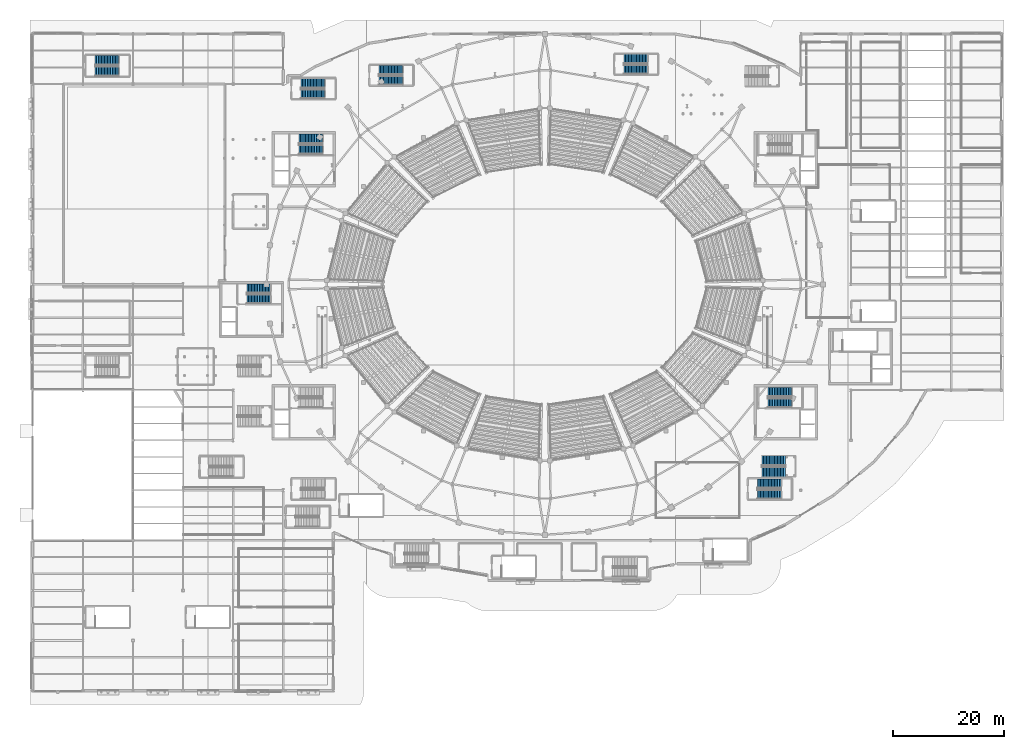
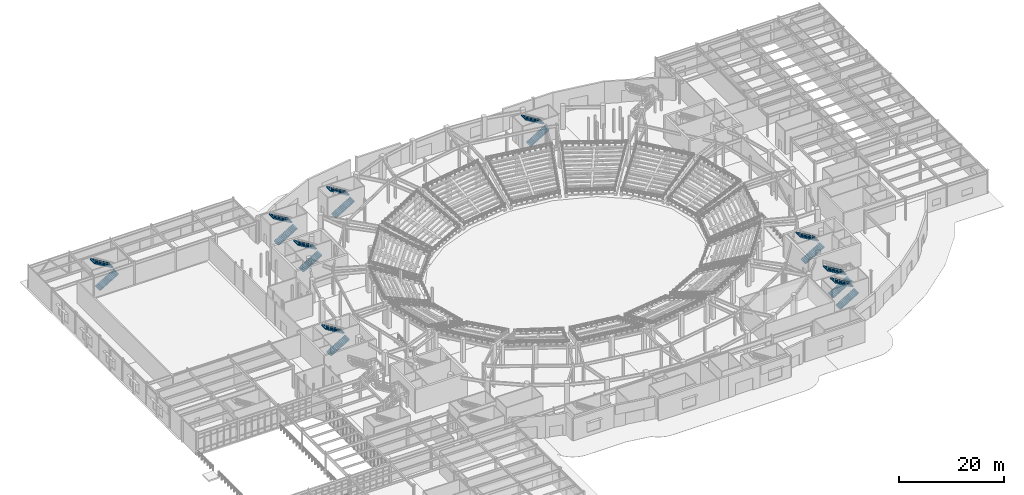
# One storey, part 58 of 79: 18 stair flights, 9 elements without a shape of their own.
"""IFC4 building model written with IfcOpenShell, lengths in metres."""

import ifcopenshell
import ifcopenshell.guid

model = None  # the IFC model being written
_history = None  # IfcOwnerHistory: only IFC2X3 demands one
_inside = {}  # id of a spatial element -> (the spatial element, [elements in it])
_under = {}  # id of a project, library or spatial element -> (it, [spatial elements below it])
_declared = {}  # id of a project -> (the project, [libraries it declares])
_typed = {}  # id of a type object -> (the type object, [elements of that type])
_made_of = {}  # id of a material, layer set ... -> (it, [elements and type objects made of it])


def new_model(schema):
    """Start an empty IFC model of exactly this schema.

    Asked for "IFC4X3", IfcOpenShell would pick the latest addendum, in which some entities
    have other attributes; the version numbers below select the first issue.
    IFC2X3 requires an IfcOwnerHistory on every rooted entity: one is made here for all.
    """
    global model, _history
    if schema == "IFC4X3":
        model = ifcopenshell.file(schema_version=(4, 3, 0, 0))
    else:
        model = ifcopenshell.file(schema=schema)
    _inside.clear()
    _under.clear()
    _declared.clear()
    _typed.clear()
    _made_of.clear()
    _history = None
    if model.schema == "IFC2X3":
        org = make("IfcOrganization", Name="unknown")
        user = make(
            "IfcPersonAndOrganization",
            ThePerson=make("IfcPerson", FamilyName="unknown"),
            TheOrganization=org,
        )
        app = make(
            "IfcApplication",
            ApplicationDeveloper=org,
            Version="unknown",
            ApplicationFullName="unknown",
            ApplicationIdentifier="unknown",
        )
        _history = make(
            "IfcOwnerHistory",
            OwningUser=user,
            OwningApplication=app,
            ChangeAction="ADDED",
            CreationDate=0,
        )
    return model


def make(cls, **values):
    """One entity of the class cls with the attributes given. An attribute that is None is left unset."""
    return model.create_entity(
        cls, **{name: value for name, value in values.items() if value is not None}
    )


def rooted(cls, **values):
    """An entity with a GlobalId (a new one), such as an element, a storey or a relation."""
    return make(cls, GlobalId=ifcopenshell.guid.new(), OwnerHistory=_history, **values)


def si_unit(unit_type, name, prefix=None):
    """IfcSIUnit, for example si_unit("LENGTHUNIT", "METRE", prefix="MILLI")."""
    return make("IfcSIUnit", UnitType=unit_type, Prefix=prefix, Name=name)


def assignment(units):
    """IfcUnitAssignment: the units of a project."""
    return None if units is None else make("IfcUnitAssignment", Units=units)


def point(xyz):
    """IfcCartesianPoint."""
    return None if xyz is None else make("IfcCartesianPoint", Coordinates=xyz)


def direction(xyz):
    """IfcDirection."""
    return None if xyz is None else make("IfcDirection", DirectionRatios=xyz)


def frame(location, z_axis=None, x_axis=None):
    """IfcAxis2Placement3D, a coordinate frame: its origin and axes. An axis left out is left unset."""
    return make(
        "IfcAxis2Placement3D",
        Location=point(location),
        Axis=direction(z_axis),
        RefDirection=direction(x_axis),
    )


def origin():
    """The frame at (0, 0, 0) with its axes left unset."""
    return frame((0.0, 0.0, 0.0))


def place(relative_to, where):
    """IfcLocalPlacement: puts the frame where relative to a parent placement (None: the world)."""
    return make(
        "IfcLocalPlacement", PlacementRelTo=relative_to, RelativePlacement=where
    )


def context(
    kind, dimensions, precision=None, world=None, true_north=None, identifier=None
):
    """IfcGeometricRepresentationContext, for example the 3D "Model" context."""
    return make(
        "IfcGeometricRepresentationContext",
        ContextIdentifier=identifier,
        ContextType=kind,
        CoordinateSpaceDimension=dimensions,
        Precision=precision,
        WorldCoordinateSystem=world,
        TrueNorth=true_north,
    )


def subcontext(parent, identifier, kind, view, scale=None):
    """IfcGeometricRepresentationSubContext, for example "Body" below "Model"."""
    return make(
        "IfcGeometricRepresentationSubContext",
        ContextIdentifier=identifier,
        ContextType=kind,
        ParentContext=parent,
        TargetScale=scale,
        TargetView=view,
    )


def project(units=None, contexts=None):
    """IfcProject with its units and contexts."""
    return rooted(
        "IfcProject",
        Name="project",
        RepresentationContexts=contexts,
        UnitsInContext=assignment(units),
    )


def spatial(cls, under=None, at=None, **own):
    """A site, building, storey or space (cls), placed at a placement, below another one or the project."""
    s = rooted(cls, ObjectPlacement=at, **own)
    if under is not None:
        _under.setdefault(under.id(), (under, []))[1].append(s)
    return s


def polyline(points):
    """IfcPolyline through the points."""
    return make("IfcPolyline", Points=[point(p) for p in points])


def outline(outer, holes=None, kind="AREA"):
    """IfcArbitraryClosedProfileDef: a profile drawn as a closed curve; with holes, ...WithVoids."""
    if holes is None:
        return make("IfcArbitraryClosedProfileDef", ProfileType=kind, OuterCurve=outer)
    return make(
        "IfcArbitraryProfileDefWithVoids",
        ProfileType=kind,
        OuterCurve=outer,
        InnerCurves=holes,
    )


def extrude(swept, where, along, depth):
    """IfcExtrudedAreaSolid: the profile swept, set in the frame where, extruded along a direction by depth."""
    return make(
        "IfcExtrudedAreaSolid",
        SweptArea=swept,
        Position=where,
        ExtrudedDirection=direction(along),
        Depth=depth,
    )


def shape(context_of_items, identifier, shape_type, items):
    """IfcShapeRepresentation: the items that make up one representation, for example the "Body"."""
    return make(
        "IfcShapeRepresentation",
        ContextOfItems=context_of_items,
        RepresentationIdentifier=identifier,
        RepresentationType=shape_type,
        Items=items,
    )


def material(Name=None, Category=None):
    """IfcMaterial."""
    return make("IfcMaterial", Name=Name, Category=Category)


def made_of(thing, what):
    """Note that an element or type object is made of a material, layer set ...; save() writes the relation."""
    if what is not None:
        _made_of.setdefault(what.id(), (what, []))[1].append(thing)
    return thing


def type_object(cls, material=None, **own):
    """A type object (cls), such as IfcWallType, which elements share."""
    return made_of(rooted(cls, **own), material)


def element(
    cls,
    number,
    at=None,
    inside=None,
    cuts=None,
    type_object=None,
    material=None,
    context=None,
    identifier="Body",
    shape_type=None,
    held_by="IfcProductDefinitionShape",
    body=None,
    shapes=None,
    **own,
):
    """One element of the class cls, such as IfcWall. Its Tag is "e" and its number.

    at: its placement. inside: the storey or other place that contains it. cuts: it is an
    opening in that element (IfcRelVoidsElement). A single representation is given by context,
    identifier, shape_type and body (its items); several are given by shapes. held_by: the class
    of the entity that holds the representations. save() writes the other relations.
    """
    e = rooted(cls, Tag="e%d" % number, ObjectPlacement=at, **own)
    if body is not None:
        shapes = [shape(context, identifier, shape_type, body)]
    if shapes is not None:
        e.Representation = make(held_by, Representations=shapes)
    if inside is not None:
        _inside.setdefault(inside.id(), (inside, []))[1].append(e)
    if cuts is not None:
        rooted(
            "IfcRelVoidsElement", RelatingBuildingElement=cuts, RelatedOpeningElement=e
        )
    if type_object is not None:
        _typed.setdefault(type_object.id(), (type_object, []))[1].append(e)
    return made_of(e, material)


def aggregate(whole, parts):
    """IfcRelAggregates: a whole, such as a stair, and the parts it consists of."""
    return rooted("IfcRelAggregates", RelatingObject=whole, RelatedObjects=parts)


def save(model, path):
    """Write the relations noted so far, then the file.

    IfcRelAggregates (storeys below a building ...), IfcRelContainedInSpatialStructure (elements
    in a storey), IfcRelDefinesByType, IfcRelAssociatesMaterial and IfcRelDeclares: one each for
    every whole, place, type object, material and project.
    """
    for whole, parts in _under.values():
        aggregate(whole, parts)
    for where, things in _inside.values():
        rooted(
            "IfcRelContainedInSpatialStructure",
            RelatedElements=things,
            RelatingStructure=where,
        )
    for kind, things in _typed.values():
        rooted("IfcRelDefinesByType", RelatedObjects=things, RelatingType=kind)
    for what, things in _made_of.values():
        rooted("IfcRelAssociatesMaterial", RelatedObjects=things, RelatingMaterial=what)
    for by, libraries in _declared.values():
        rooted("IfcRelDeclares", RelatingContext=by, RelatedDefinitions=libraries)
    model.write(path)


model = new_model("IFC4")

# Units and contexts
model_context = context("Model", 3, precision=1e-05, world=origin(), true_north=direction((0.0, 1.0)))
body_context = subcontext(model_context, "Body", "Model", "MODEL_VIEW")
ifc_project = project(units=[si_unit("LENGTHUNIT", "METRE"), si_unit("AREAUNIT", "SQUARE_METRE"), si_unit("VOLUMEUNIT", "CUBIC_METRE"), si_unit("PLANEANGLEUNIT", "RADIAN"), si_unit("MASSUNIT", "GRAM", prefix="KILO")], contexts=[model_context])

# Site, building, storey
site_placement = place(None, origin())
site = spatial("IfcSite", under=ifc_project, at=site_placement, CompositionType="ELEMENT")
building_placement = place(site_placement, origin())
building = spatial("IfcBuilding", under=site, at=building_placement, Name="Glasvene Arena", CompositionType="ELEMENT")
storey_placement = place(building_placement, origin())
storey = spatial("IfcBuildingStorey", under=building, at=storey_placement, Name="L00", CompositionType="ELEMENT", Elevation=0.0)

# Stair, stair flights
ifc_material = material(Name="Concrete C40/50", Category="concrete")
stair_type_1 = type_object("IfcStairType", Name="ST-HT-540-165", PredefinedType="HALF_TURN_STAIR", material=ifc_material)
stair_1_placement = place(storey_placement, origin())
stair_1 = element("IfcStair", 1, at=stair_1_placement, inside=storey, type_object=stair_type_1, Name="Protected escape stair ST-07 (L00 to L01)", PredefinedType="HALF_TURN_STAIR")
stair_flight_type_1 = type_object("IfcStairFlightType", Name="SF-HT-540-165", PredefinedType="STRAIGHT", material=ifc_material)
stair_flight_1_placement = place(storey_placement, frame((38.449951171875, 70.375, 0.0), z_axis=(0.0, 0.0, 1.0), x_axis=(1.0, 0.0, 0.0)))
stair_flight_1 = element("IfcStairFlight", 2, at=stair_flight_1_placement, type_object=stair_flight_type_1, Name="Protected escape stair ST-07 (L00 to L01) flight 1", NumberOfRisers=16, NumberOfTreads=15, PredefinedType="STRAIGHT", RiserHeight=0.16875, TreadLength=0.28, context=body_context, shape_type="SweptSolid", body=[
    extrude(outline(polyline([(0.0, 0.0), (0.0, 0.168701171875), (0.280029296875, 0.168701171875), (0.280029296875, 0.33740234375), (0.56005859375, 0.33740234375), (0.56005859375, 0.50634765625), (0.840087890625, 0.50634765625), (0.840087890625, 0.675048828125), (1.1201171875, 0.675048828125), (1.1201171875, 0.84375), (1.39990234375, 0.84375), (1.39990234375, 1.012451171875), (1.679931640625, 1.012451171875), (1.679931640625, 1.18115234375), (1.9599609375, 1.18115234375), (1.9599609375, 1.35009765625), (2.239990234375, 1.35009765625), (2.239990234375, 1.518798828125), (2.52001953125, 1.518798828125), (2.52001953125, 1.6875), (2.800048828125, 1.6875), (2.800048828125, 1.856201171875), (3.080078125, 1.856201171875), (3.080078125, 2.02490234375), (3.360107421875, 2.02490234375), (3.360107421875, 2.19384765625), (3.639892578125, 2.19384765625), (3.639892578125, 2.362548828125), (3.919921875, 2.362548828125), (3.919921875, 2.53125), (4.199951171875, 2.53125), (4.199951171875, 2.699951171875), (4.199951171875, 2.2978515625), (0.387451171875, 0.0), (0.0, 0.0)])), frame((0.0, 0.824951171875, 0.0), z_axis=(0.0, -1.0, 0.0), x_axis=(1.0, 0.0, 0.0)), (0.0, 0.0, 1.0), 1.64990234375),
])
stair_flight_2_placement = place(storey_placement, frame((42.64990234375, 72.27490234375, 2.699951171875), z_axis=(0.0, 0.0, 1.0), x_axis=(-1.0, 0.0, 0.0)))
stair_flight_2 = element("IfcStairFlight", 3, at=stair_flight_2_placement, type_object=stair_flight_type_1, Name="Protected escape stair ST-07 (L00 to L01) flight 2", NumberOfRisers=16, NumberOfTreads=15, PredefinedType="STRAIGHT", RiserHeight=0.16875, TreadLength=0.28, context=body_context, shape_type="SweptSolid", body=[
    extrude(outline(polyline([(0.0, 0.0), (0.0, 0.168701171875), (0.280029296875, 0.168701171875), (0.280029296875, 0.33740234375), (0.56005859375, 0.33740234375), (0.56005859375, 0.50634765625), (0.840087890625, 0.50634765625), (0.840087890625, 0.675048828125), (1.1201171875, 0.675048828125), (1.1201171875, 0.84375), (1.39990234375, 0.84375), (1.39990234375, 1.012451171875), (1.679931640625, 1.012451171875), (1.679931640625, 1.18115234375), (1.9599609375, 1.18115234375), (1.9599609375, 1.35009765625), (2.239990234375, 1.35009765625), (2.239990234375, 1.518798828125), (2.52001953125, 1.518798828125), (2.52001953125, 1.6875), (2.800048828125, 1.6875), (2.800048828125, 1.856201171875), (3.080078125, 1.856201171875), (3.080078125, 2.02490234375), (3.360107421875, 2.02490234375), (3.360107421875, 2.19384765625), (3.639892578125, 2.19384765625), (3.639892578125, 2.362548828125), (3.919921875, 2.362548828125), (3.919921875, 2.53125), (4.199951171875, 2.53125), (4.199951171875, 2.699951171875), (4.199951171875, 2.2978515625), (0.387451171875, 0.0), (0.0, 0.0)])), frame((0.0, 0.824951171875, 0.0), z_axis=(0.0, -1.0, 0.0), x_axis=(1.0, 0.0, 0.0)), (0.0, 0.0, 1.0), 1.64990234375),
])
aggregate(stair_1, [stair_flight_1, stair_flight_2])

stair_2_placement = place(storey_placement, origin())
stair_2 = element("IfcStair", 4, at=stair_2_placement, inside=storey, type_object=stair_type_1, Name="Protected escape stair ST-10 (L00 to L01)", PredefinedType="HALF_TURN_STAIR")
stair_flight_3_placement = place(storey_placement, frame((62.199951171875, 109.625, 0.0), z_axis=(0.0, 0.0, 1.0), x_axis=(1.0, 0.0, 0.0)))
stair_flight_3 = element("IfcStairFlight", 5, at=stair_flight_3_placement, type_object=stair_flight_type_1, Name="Protected escape stair ST-10 (L00 to L01) flight 1", NumberOfRisers=16, NumberOfTreads=15, PredefinedType="STRAIGHT", RiserHeight=0.16875, TreadLength=0.28, context=body_context, shape_type="SweptSolid", body=[
    extrude(outline(polyline([(0.0, 0.0), (0.0, 0.168701171875), (0.280029296875, 0.168701171875), (0.280029296875, 0.33740234375), (0.56005859375, 0.33740234375), (0.56005859375, 0.50634765625), (0.840087890625, 0.50634765625), (0.840087890625, 0.675048828125), (1.1201171875, 0.675048828125), (1.1201171875, 0.84375), (1.39990234375, 0.84375), (1.39990234375, 1.012451171875), (1.679931640625, 1.012451171875), (1.679931640625, 1.18115234375), (1.9599609375, 1.18115234375), (1.9599609375, 1.35009765625), (2.239990234375, 1.35009765625), (2.239990234375, 1.518798828125), (2.52001953125, 1.518798828125), (2.52001953125, 1.6875), (2.800048828125, 1.6875), (2.800048828125, 1.856201171875), (3.080078125, 1.856201171875), (3.080078125, 2.02490234375), (3.360107421875, 2.02490234375), (3.360107421875, 2.19384765625), (3.639892578125, 2.19384765625), (3.639892578125, 2.362548828125), (3.919921875, 2.362548828125), (3.919921875, 2.53125), (4.199951171875, 2.53125), (4.199951171875, 2.699951171875), (4.199951171875, 2.2978515625), (0.387451171875, 0.0), (0.0, 0.0)])), frame((0.0, 0.824951171875, 0.0), z_axis=(0.0, -1.0, 0.0), x_axis=(1.0, 0.0, 0.0)), (0.0, 0.0, 1.0), 1.64990234375),
])
stair_flight_4_placement = place(storey_placement, frame((66.39990234375, 111.52490234375, 2.699951171875), z_axis=(0.0, 0.0, 1.0), x_axis=(-1.0, 0.0, 0.0)))
stair_flight_4 = element("IfcStairFlight", 6, at=stair_flight_4_placement, type_object=stair_flight_type_1, Name="Protected escape stair ST-10 (L00 to L01) flight 2", NumberOfRisers=16, NumberOfTreads=15, PredefinedType="STRAIGHT", RiserHeight=0.16875, TreadLength=0.28, context=body_context, shape_type="SweptSolid", body=[
    extrude(outline(polyline([(0.0, 0.0), (0.0, 0.168701171875), (0.280029296875, 0.168701171875), (0.280029296875, 0.33740234375), (0.56005859375, 0.33740234375), (0.56005859375, 0.50634765625), (0.840087890625, 0.50634765625), (0.840087890625, 0.675048828125), (1.1201171875, 0.675048828125), (1.1201171875, 0.84375), (1.39990234375, 0.84375), (1.39990234375, 1.012451171875), (1.679931640625, 1.012451171875), (1.679931640625, 1.18115234375), (1.9599609375, 1.18115234375), (1.9599609375, 1.35009765625), (2.239990234375, 1.35009765625), (2.239990234375, 1.518798828125), (2.52001953125, 1.518798828125), (2.52001953125, 1.6875), (2.800048828125, 1.6875), (2.800048828125, 1.856201171875), (3.080078125, 1.856201171875), (3.080078125, 2.02490234375), (3.360107421875, 2.02490234375), (3.360107421875, 2.19384765625), (3.639892578125, 2.19384765625), (3.639892578125, 2.362548828125), (3.919921875, 2.362548828125), (3.919921875, 2.53125), (4.199951171875, 2.53125), (4.199951171875, 2.699951171875), (4.199951171875, 2.2978515625), (0.387451171875, 0.0), (0.0, 0.0)])), frame((0.0, 0.824951171875, 0.0), z_axis=(0.0, -1.0, 0.0), x_axis=(1.0, 0.0, 0.0)), (0.0, 0.0, 1.0), 1.64990234375),
])
aggregate(stair_2, [stair_flight_3, stair_flight_4])

stair_3_placement = place(storey_placement, origin())
stair_3 = element("IfcStair", 7, at=stair_3_placement, inside=storey, type_object=stair_type_1, Name="Protected escape stair ST-11 (L00 to L01)", PredefinedType="HALF_TURN_STAIR")
stair_flight_5_placement = place(storey_placement, frame((106.199951171875, 111.625, 0.0), z_axis=(0.0, 0.0, 1.0), x_axis=(1.0, 0.0, 0.0)))
stair_flight_5 = element("IfcStairFlight", 8, at=stair_flight_5_placement, type_object=stair_flight_type_1, Name="Protected escape stair ST-11 (L00 to L01) flight 1", NumberOfRisers=16, NumberOfTreads=15, PredefinedType="STRAIGHT", RiserHeight=0.16875, TreadLength=0.28, context=body_context, shape_type="SweptSolid", body=[
    extrude(outline(polyline([(0.0, 0.0), (0.0, 0.168701171875), (0.280029296875, 0.168701171875), (0.280029296875, 0.33740234375), (0.56005859375, 0.33740234375), (0.56005859375, 0.50634765625), (0.840087890625, 0.50634765625), (0.840087890625, 0.675048828125), (1.1201171875, 0.675048828125), (1.1201171875, 0.84375), (1.39990234375, 0.84375), (1.39990234375, 1.012451171875), (1.679931640625, 1.012451171875), (1.679931640625, 1.18115234375), (1.9599609375, 1.18115234375), (1.9599609375, 1.35009765625), (2.239990234375, 1.35009765625), (2.239990234375, 1.518798828125), (2.52001953125, 1.518798828125), (2.52001953125, 1.6875), (2.800048828125, 1.6875), (2.800048828125, 1.856201171875), (3.080078125, 1.856201171875), (3.080078125, 2.02490234375), (3.360107421875, 2.02490234375), (3.360107421875, 2.19384765625), (3.639892578125, 2.19384765625), (3.639892578125, 2.362548828125), (3.919921875, 2.362548828125), (3.919921875, 2.53125), (4.199951171875, 2.53125), (4.199951171875, 2.699951171875), (4.199951171875, 2.2978515625), (0.387451171875, 0.0), (0.0, 0.0)])), frame((0.0, 0.824951171875, 0.0), z_axis=(0.0, -1.0, 0.0), x_axis=(1.0, 0.0, 0.0)), (0.0, 0.0, 1.0), 1.64990234375),
])
stair_flight_6_placement = place(storey_placement, frame((110.39990234375, 113.52490234375, 2.699951171875), z_axis=(0.0, 0.0, 1.0), x_axis=(-1.0, 0.0, 0.0)))
stair_flight_6 = element("IfcStairFlight", 9, at=stair_flight_6_placement, type_object=stair_flight_type_1, Name="Protected escape stair ST-11 (L00 to L01) flight 2", NumberOfRisers=16, NumberOfTreads=15, PredefinedType="STRAIGHT", RiserHeight=0.16875, TreadLength=0.28, context=body_context, shape_type="SweptSolid", body=[
    extrude(outline(polyline([(0.0, 0.0), (0.0, 0.168701171875), (0.280029296875, 0.168701171875), (0.280029296875, 0.33740234375), (0.56005859375, 0.33740234375), (0.56005859375, 0.50634765625), (0.840087890625, 0.50634765625), (0.840087890625, 0.675048828125), (1.1201171875, 0.675048828125), (1.1201171875, 0.84375), (1.39990234375, 0.84375), (1.39990234375, 1.012451171875), (1.679931640625, 1.012451171875), (1.679931640625, 1.18115234375), (1.9599609375, 1.18115234375), (1.9599609375, 1.35009765625), (2.239990234375, 1.35009765625), (2.239990234375, 1.518798828125), (2.52001953125, 1.518798828125), (2.52001953125, 1.6875), (2.800048828125, 1.6875), (2.800048828125, 1.856201171875), (3.080078125, 1.856201171875), (3.080078125, 2.02490234375), (3.360107421875, 2.02490234375), (3.360107421875, 2.19384765625), (3.639892578125, 2.19384765625), (3.639892578125, 2.362548828125), (3.919921875, 2.362548828125), (3.919921875, 2.53125), (4.199951171875, 2.53125), (4.199951171875, 2.699951171875), (4.199951171875, 2.2978515625), (0.387451171875, 0.0), (0.0, 0.0)])), frame((0.0, 0.824951171875, 0.0), z_axis=(0.0, -1.0, 0.0), x_axis=(1.0, 0.0, 0.0)), (0.0, 0.0, 1.0), 1.64990234375),
])
aggregate(stair_3, [stair_flight_5, stair_flight_6])

stair_4_placement = place(storey_placement, origin())
stair_4 = element("IfcStair", 10, at=stair_4_placement, inside=storey, type_object=stair_type_1, Name="Protected escape stair ST-12 (L00 to L01)", PredefinedType="HALF_TURN_STAIR")
stair_flight_7_placement = place(storey_placement, frame((48.199951171875, 107.22509765625, 0.0), z_axis=(0.0, 0.0, 1.0), x_axis=(1.0, 0.0, 0.0)))
stair_flight_7 = element("IfcStairFlight", 11, at=stair_flight_7_placement, type_object=stair_flight_type_1, Name="Protected escape stair ST-12 (L00 to L01) flight 1", NumberOfRisers=16, NumberOfTreads=15, PredefinedType="STRAIGHT", RiserHeight=0.16875, TreadLength=0.28, context=body_context, shape_type="SweptSolid", body=[
    extrude(outline(polyline([(0.0, 0.0), (0.0, 0.168701171875), (0.280029296875, 0.168701171875), (0.280029296875, 0.33740234375), (0.56005859375, 0.33740234375), (0.56005859375, 0.50634765625), (0.840087890625, 0.50634765625), (0.840087890625, 0.675048828125), (1.1201171875, 0.675048828125), (1.1201171875, 0.84375), (1.39990234375, 0.84375), (1.39990234375, 1.012451171875), (1.679931640625, 1.012451171875), (1.679931640625, 1.18115234375), (1.9599609375, 1.18115234375), (1.9599609375, 1.35009765625), (2.239990234375, 1.35009765625), (2.239990234375, 1.518798828125), (2.52001953125, 1.518798828125), (2.52001953125, 1.6875), (2.800048828125, 1.6875), (2.800048828125, 1.856201171875), (3.080078125, 1.856201171875), (3.080078125, 2.02490234375), (3.360107421875, 2.02490234375), (3.360107421875, 2.19384765625), (3.639892578125, 2.19384765625), (3.639892578125, 2.362548828125), (3.919921875, 2.362548828125), (3.919921875, 2.53125), (4.199951171875, 2.53125), (4.199951171875, 2.699951171875), (4.199951171875, 2.2978515625), (0.387451171875, 0.0), (0.0, 0.0)])), frame((0.0, 0.824951171875, 0.0), z_axis=(0.0, -1.0, 0.0), x_axis=(1.0, 0.0, 0.0)), (0.0, 0.0, 1.0), 1.64990234375),
])
stair_flight_8_placement = place(storey_placement, frame((52.39990234375, 109.125, 2.699951171875), z_axis=(0.0, 0.0, 1.0), x_axis=(-1.0, 0.0, 0.0)))
stair_flight_8 = element("IfcStairFlight", 12, at=stair_flight_8_placement, type_object=stair_flight_type_1, Name="Protected escape stair ST-12 (L00 to L01) flight 2", NumberOfRisers=16, NumberOfTreads=15, PredefinedType="STRAIGHT", RiserHeight=0.16875, TreadLength=0.28, context=body_context, shape_type="SweptSolid", body=[
    extrude(outline(polyline([(0.0, 0.0), (0.0, 0.168701171875), (0.280029296875, 0.168701171875), (0.280029296875, 0.33740234375), (0.56005859375, 0.33740234375), (0.56005859375, 0.50634765625), (0.840087890625, 0.50634765625), (0.840087890625, 0.675048828125), (1.1201171875, 0.675048828125), (1.1201171875, 0.84375), (1.39990234375, 0.84375), (1.39990234375, 1.012451171875), (1.679931640625, 1.012451171875), (1.679931640625, 1.18115234375), (1.9599609375, 1.18115234375), (1.9599609375, 1.35009765625), (2.239990234375, 1.35009765625), (2.239990234375, 1.518798828125), (2.52001953125, 1.518798828125), (2.52001953125, 1.6875), (2.800048828125, 1.6875), (2.800048828125, 1.856201171875), (3.080078125, 1.856201171875), (3.080078125, 2.02490234375), (3.360107421875, 2.02490234375), (3.360107421875, 2.19384765625), (3.639892578125, 2.19384765625), (3.639892578125, 2.362548828125), (3.919921875, 2.362548828125), (3.919921875, 2.53125), (4.199951171875, 2.53125), (4.199951171875, 2.699951171875), (4.199951171875, 2.2978515625), (0.387451171875, 0.0), (0.0, 0.0)])), frame((0.0, 0.824951171875, 0.0), z_axis=(0.0, -1.0, 0.0), x_axis=(1.0, 0.0, 0.0)), (0.0, 0.0, 1.0), 1.64990234375),
])
aggregate(stair_4, [stair_flight_7, stair_flight_8])

stair_type_2 = type_object("IfcStairType", Name="ST-HT-540-170", PredefinedType="HALF_TURN_STAIR", material=ifc_material)
stair_5_placement = place(storey_placement, origin())
stair_5 = element("IfcStair", 13, at=stair_5_placement, inside=storey, type_object=stair_type_2, Name="Protected escape stair ST-01 (L00 to L01)", PredefinedType="HALF_TURN_STAIR")
stair_flight_type_2 = type_object("IfcStairFlightType", Name="SF-HT-540-170", PredefinedType="STRAIGHT", material=ifc_material)
stair_flight_9_placement = place(storey_placement, frame((47.85009765625, 97.199951171875, 0.0), z_axis=(0.0, 0.0, 1.0), x_axis=(1.0, 0.0, 0.0)))
stair_flight_9 = element("IfcStairFlight", 14, at=stair_flight_9_placement, type_object=stair_flight_type_2, Name="Protected escape stair ST-01 (L00 to L01) flight 1", NumberOfRisers=16, NumberOfTreads=15, PredefinedType="STRAIGHT", RiserHeight=0.16875, TreadLength=0.28, context=body_context, shape_type="SweptSolid", body=[
    extrude(outline(polyline([(0.0, 0.0), (0.0, 0.168701171875), (0.280029296875, 0.168701171875), (0.280029296875, 0.33740234375), (0.56005859375, 0.33740234375), (0.56005859375, 0.50634765625), (0.840087890625, 0.50634765625), (0.840087890625, 0.675048828125), (1.1201171875, 0.675048828125), (1.1201171875, 0.84375), (1.39990234375, 0.84375), (1.39990234375, 1.012451171875), (1.679931640625, 1.012451171875), (1.679931640625, 1.18115234375), (1.9599609375, 1.18115234375), (1.9599609375, 1.35009765625), (2.239990234375, 1.35009765625), (2.239990234375, 1.518798828125), (2.52001953125, 1.518798828125), (2.52001953125, 1.6875), (2.800048828125, 1.6875), (2.800048828125, 1.856201171875), (3.080078125, 1.856201171875), (3.080078125, 2.02490234375), (3.360107421875, 2.02490234375), (3.360107421875, 2.19384765625), (3.639892578125, 2.19384765625), (3.639892578125, 2.362548828125), (3.919921875, 2.362548828125), (3.919921875, 2.53125), (4.199951171875, 2.53125), (4.199951171875, 2.699951171875), (4.199951171875, 2.2978515625), (0.387451171875, 0.0), (0.0, 0.0)])), frame((0.0, 0.85009765625, 0.0), z_axis=(0.0, -1.0, 0.0), x_axis=(1.0, 0.0, 0.0)), (0.0, 0.0, 1.0), 1.699951171875),
])
stair_flight_10_placement = place(storey_placement, frame((52.050048828125, 99.14990234375, 2.699951171875), z_axis=(0.0, 0.0, 1.0), x_axis=(-1.0, 0.0, 0.0)))
stair_flight_10 = element("IfcStairFlight", 15, at=stair_flight_10_placement, type_object=stair_flight_type_2, Name="Protected escape stair ST-01 (L00 to L01) flight 2", NumberOfRisers=16, NumberOfTreads=15, PredefinedType="STRAIGHT", RiserHeight=0.16875, TreadLength=0.28, context=body_context, shape_type="SweptSolid", body=[
    extrude(outline(polyline([(0.0, 0.0), (0.0, 0.168701171875), (0.280029296875, 0.168701171875), (0.280029296875, 0.33740234375), (0.56005859375, 0.33740234375), (0.56005859375, 0.50634765625), (0.840087890625, 0.50634765625), (0.840087890625, 0.675048828125), (1.1201171875, 0.675048828125), (1.1201171875, 0.84375), (1.39990234375, 0.84375), (1.39990234375, 1.012451171875), (1.679931640625, 1.012451171875), (1.679931640625, 1.18115234375), (1.9599609375, 1.18115234375), (1.9599609375, 1.35009765625), (2.239990234375, 1.35009765625), (2.239990234375, 1.518798828125), (2.52001953125, 1.518798828125), (2.52001953125, 1.6875), (2.800048828125, 1.6875), (2.800048828125, 1.856201171875), (3.080078125, 1.856201171875), (3.080078125, 2.02490234375), (3.360107421875, 2.02490234375), (3.360107421875, 2.19384765625), (3.639892578125, 2.19384765625), (3.639892578125, 2.362548828125), (3.919921875, 2.362548828125), (3.919921875, 2.53125), (4.199951171875, 2.53125), (4.199951171875, 2.699951171875), (4.199951171875, 2.2978515625), (0.387451171875, 0.0), (0.0, 0.0)])), frame((0.0, 0.85009765625, 0.0), z_axis=(0.0, -1.0, 0.0), x_axis=(1.0, 0.0, 0.0)), (0.0, 0.0, 1.0), 1.699951171875),
])
aggregate(stair_5, [stair_flight_9, stair_flight_10])

stair_6_placement = place(storey_placement, origin())
stair_6 = element("IfcStair", 16, at=stair_6_placement, inside=storey, type_object=stair_type_2, Name="Protected escape stair ST-04 (L00 to L01)", PredefinedType="HALF_TURN_STAIR")
stair_flight_11_placement = place(storey_placement, frame((132.10009765625, 51.699951171875, 0.0), z_axis=(0.0, 0.0, 1.0), x_axis=(1.0, 0.0, 0.0)))
stair_flight_11 = element("IfcStairFlight", 17, at=stair_flight_11_placement, type_object=stair_flight_type_2, Name="Protected escape stair ST-04 (L00 to L01) flight 1", NumberOfRisers=16, NumberOfTreads=15, PredefinedType="STRAIGHT", RiserHeight=0.16875, TreadLength=0.28, context=body_context, shape_type="SweptSolid", body=[
    extrude(outline(polyline([(0.0, 0.0), (0.0, 0.168701171875), (0.280029296875, 0.168701171875), (0.280029296875, 0.33740234375), (0.56005859375, 0.33740234375), (0.56005859375, 0.50634765625), (0.840087890625, 0.50634765625), (0.840087890625, 0.675048828125), (1.1201171875, 0.675048828125), (1.1201171875, 0.84375), (1.39990234375, 0.84375), (1.39990234375, 1.012451171875), (1.679931640625, 1.012451171875), (1.679931640625, 1.18115234375), (1.9599609375, 1.18115234375), (1.9599609375, 1.35009765625), (2.239990234375, 1.35009765625), (2.239990234375, 1.518798828125), (2.52001953125, 1.518798828125), (2.52001953125, 1.6875), (2.800048828125, 1.6875), (2.800048828125, 1.856201171875), (3.080078125, 1.856201171875), (3.080078125, 2.02490234375), (3.360107421875, 2.02490234375), (3.360107421875, 2.19384765625), (3.639892578125, 2.19384765625), (3.639892578125, 2.362548828125), (3.919921875, 2.362548828125), (3.919921875, 2.53125), (4.199951171875, 2.53125), (4.199951171875, 2.699951171875), (4.199951171875, 2.2978515625), (0.387451171875, 0.0), (0.0, 0.0)])), frame((0.0, 0.85009765625, 0.0), z_axis=(0.0, -1.0, 0.0), x_axis=(1.0, 0.0, 0.0)), (0.0, 0.0, 1.0), 1.699951171875),
])
stair_flight_12_placement = place(storey_placement, frame((136.300048828125, 53.64990234375, 2.699951171875), z_axis=(0.0, 0.0, 1.0), x_axis=(-1.0, 0.0, 0.0)))
stair_flight_12 = element("IfcStairFlight", 18, at=stair_flight_12_placement, type_object=stair_flight_type_2, Name="Protected escape stair ST-04 (L00 to L01) flight 2", NumberOfRisers=16, NumberOfTreads=15, PredefinedType="STRAIGHT", RiserHeight=0.16875, TreadLength=0.28, context=body_context, shape_type="SweptSolid", body=[
    extrude(outline(polyline([(0.0, 0.0), (0.0, 0.168701171875), (0.280029296875, 0.168701171875), (0.280029296875, 0.33740234375), (0.56005859375, 0.33740234375), (0.56005859375, 0.50634765625), (0.840087890625, 0.50634765625), (0.840087890625, 0.675048828125), (1.1201171875, 0.675048828125), (1.1201171875, 0.84375), (1.39990234375, 0.84375), (1.39990234375, 1.012451171875), (1.679931640625, 1.012451171875), (1.679931640625, 1.18115234375), (1.9599609375, 1.18115234375), (1.9599609375, 1.35009765625), (2.239990234375, 1.35009765625), (2.239990234375, 1.518798828125), (2.52001953125, 1.518798828125), (2.52001953125, 1.6875), (2.800048828125, 1.6875), (2.800048828125, 1.856201171875), (3.080078125, 1.856201171875), (3.080078125, 2.02490234375), (3.360107421875, 2.02490234375), (3.360107421875, 2.19384765625), (3.639892578125, 2.19384765625), (3.639892578125, 2.362548828125), (3.919921875, 2.362548828125), (3.919921875, 2.53125), (4.199951171875, 2.53125), (4.199951171875, 2.699951171875), (4.199951171875, 2.2978515625), (0.387451171875, 0.0), (0.0, 0.0)])), frame((0.0, 0.85009765625, 0.0), z_axis=(0.0, -1.0, 0.0), x_axis=(1.0, 0.0, 0.0)), (0.0, 0.0, 1.0), 1.699951171875),
])
aggregate(stair_6, [stair_flight_11, stair_flight_12])

stair_7_placement = place(storey_placement, origin())
stair_7 = element("IfcStair", 19, at=stair_7_placement, inside=storey, type_object=stair_type_2, Name="Protected escape stair ST-06 (L00 to L01)", PredefinedType="HALF_TURN_STAIR")
stair_flight_13_placement = place(storey_placement, frame((130.199951171875, 35.25, 0.0), z_axis=(0.0, 0.0, 1.0), x_axis=(1.0, 0.0, 0.0)))
stair_flight_13 = element("IfcStairFlight", 20, at=stair_flight_13_placement, type_object=stair_flight_type_2, Name="Protected escape stair ST-06 (L00 to L01) flight 1", NumberOfRisers=16, NumberOfTreads=15, PredefinedType="STRAIGHT", RiserHeight=0.16875, TreadLength=0.28, context=body_context, shape_type="SweptSolid", body=[
    extrude(outline(polyline([(0.0, 0.0), (0.0, 0.168701171875), (0.280029296875, 0.168701171875), (0.280029296875, 0.33740234375), (0.56005859375, 0.33740234375), (0.56005859375, 0.50634765625), (0.840087890625, 0.50634765625), (0.840087890625, 0.675048828125), (1.1201171875, 0.675048828125), (1.1201171875, 0.84375), (1.39990234375, 0.84375), (1.39990234375, 1.012451171875), (1.679931640625, 1.012451171875), (1.679931640625, 1.18115234375), (1.9599609375, 1.18115234375), (1.9599609375, 1.35009765625), (2.239990234375, 1.35009765625), (2.239990234375, 1.518798828125), (2.52001953125, 1.518798828125), (2.52001953125, 1.6875), (2.800048828125, 1.6875), (2.800048828125, 1.856201171875), (3.080078125, 1.856201171875), (3.080078125, 2.02490234375), (3.360107421875, 2.02490234375), (3.360107421875, 2.19384765625), (3.639892578125, 2.19384765625), (3.639892578125, 2.362548828125), (3.919921875, 2.362548828125), (3.919921875, 2.53125), (4.199951171875, 2.53125), (4.199951171875, 2.699951171875), (4.199951171875, 2.2978515625), (0.387451171875, 0.0), (0.0, 0.0)])), frame((0.0, 0.85009765625, 0.0), z_axis=(0.0, -1.0, 0.0), x_axis=(1.0, 0.0, 0.0)), (0.0, 0.0, 1.0), 1.699951171875),
])
stair_flight_14_placement = place(storey_placement, frame((134.39990234375, 37.199951171875, 2.699951171875), z_axis=(0.0, 0.0, 1.0), x_axis=(-1.0, 0.0, 0.0)))
stair_flight_14 = element("IfcStairFlight", 21, at=stair_flight_14_placement, type_object=stair_flight_type_2, Name="Protected escape stair ST-06 (L00 to L01) flight 2", NumberOfRisers=16, NumberOfTreads=15, PredefinedType="STRAIGHT", RiserHeight=0.16875, TreadLength=0.28, context=body_context, shape_type="SweptSolid", body=[
    extrude(outline(polyline([(0.0, 0.0), (0.0, 0.168701171875), (0.280029296875, 0.168701171875), (0.280029296875, 0.33740234375), (0.56005859375, 0.33740234375), (0.56005859375, 0.50634765625), (0.840087890625, 0.50634765625), (0.840087890625, 0.675048828125), (1.1201171875, 0.675048828125), (1.1201171875, 0.84375), (1.39990234375, 0.84375), (1.39990234375, 1.012451171875), (1.679931640625, 1.012451171875), (1.679931640625, 1.18115234375), (1.9599609375, 1.18115234375), (1.9599609375, 1.35009765625), (2.239990234375, 1.35009765625), (2.239990234375, 1.518798828125), (2.52001953125, 1.518798828125), (2.52001953125, 1.6875), (2.800048828125, 1.6875), (2.800048828125, 1.856201171875), (3.080078125, 1.856201171875), (3.080078125, 2.02490234375), (3.360107421875, 2.02490234375), (3.360107421875, 2.19384765625), (3.639892578125, 2.19384765625), (3.639892578125, 2.362548828125), (3.919921875, 2.362548828125), (3.919921875, 2.53125), (4.199951171875, 2.53125), (4.199951171875, 2.699951171875), (4.199951171875, 2.2978515625), (0.387451171875, 0.0), (0.0, 0.0)])), frame((0.0, 0.85009765625, 0.0), z_axis=(0.0, -1.0, 0.0), x_axis=(1.0, 0.0, 0.0)), (0.0, 0.0, 1.0), 1.699951171875),
])
aggregate(stair_7, [stair_flight_13, stair_flight_14])

stair_type_3 = type_object("IfcStairType", Name="ST-HT-540-175", PredefinedType="HALF_TURN_STAIR", material=ifc_material)
stair_8_placement = place(storey_placement, origin())
stair_8 = element("IfcStair", 22, at=stair_8_placement, inside=storey, type_object=stair_type_3, Name="Protected escape stair ST-14 (L00 to L01)", PredefinedType="HALF_TURN_STAIR")
stair_flight_type_3 = type_object("IfcStairFlightType", Name="SF-HT-540-175", PredefinedType="STRAIGHT", material=ifc_material)
stair_flight_15_placement = place(storey_placement, frame((11.199951171875, 111.27490234375, 0.0), z_axis=(0.0, 0.0, 1.0), x_axis=(1.0, 0.0, 0.0)))
stair_flight_15 = element("IfcStairFlight", 23, at=stair_flight_15_placement, type_object=stair_flight_type_3, Name="Protected escape stair ST-14 (L00 to L01) flight 1", NumberOfRisers=16, NumberOfTreads=15, PredefinedType="STRAIGHT", RiserHeight=0.16875, TreadLength=0.28, context=body_context, shape_type="SweptSolid", body=[
    extrude(outline(polyline([(0.0, 0.0), (0.0, 0.168701171875), (0.280029296875, 0.168701171875), (0.280029296875, 0.33740234375), (0.56005859375, 0.33740234375), (0.56005859375, 0.50634765625), (0.840087890625, 0.50634765625), (0.840087890625, 0.675048828125), (1.1201171875, 0.675048828125), (1.1201171875, 0.84375), (1.39990234375, 0.84375), (1.39990234375, 1.012451171875), (1.679931640625, 1.012451171875), (1.679931640625, 1.18115234375), (1.9599609375, 1.18115234375), (1.9599609375, 1.35009765625), (2.239990234375, 1.35009765625), (2.239990234375, 1.518798828125), (2.52001953125, 1.518798828125), (2.52001953125, 1.6875), (2.800048828125, 1.6875), (2.800048828125, 1.856201171875), (3.080078125, 1.856201171875), (3.080078125, 2.02490234375), (3.360107421875, 2.02490234375), (3.360107421875, 2.19384765625), (3.639892578125, 2.19384765625), (3.639892578125, 2.362548828125), (3.919921875, 2.362548828125), (3.919921875, 2.53125), (4.199951171875, 2.53125), (4.199951171875, 2.699951171875), (4.199951171875, 2.2978515625), (0.387451171875, 0.0), (0.0, 0.0)])), frame((0.0, 0.875, 0.0), z_axis=(0.0, -1.0, 0.0), x_axis=(1.0, 0.0, 0.0)), (0.0, 0.0, 1.0), 1.75),
])
stair_flight_16_placement = place(storey_placement, frame((15.39990234375, 113.27490234375, 2.699951171875), z_axis=(0.0, 0.0, 1.0), x_axis=(-1.0, 0.0, 0.0)))
stair_flight_16 = element("IfcStairFlight", 24, at=stair_flight_16_placement, type_object=stair_flight_type_3, Name="Protected escape stair ST-14 (L00 to L01) flight 2", NumberOfRisers=16, NumberOfTreads=15, PredefinedType="STRAIGHT", RiserHeight=0.16875, TreadLength=0.28, context=body_context, shape_type="SweptSolid", body=[
    extrude(outline(polyline([(0.0, 0.0), (0.0, 0.168701171875), (0.280029296875, 0.168701171875), (0.280029296875, 0.33740234375), (0.56005859375, 0.33740234375), (0.56005859375, 0.50634765625), (0.840087890625, 0.50634765625), (0.840087890625, 0.675048828125), (1.1201171875, 0.675048828125), (1.1201171875, 0.84375), (1.39990234375, 0.84375), (1.39990234375, 1.012451171875), (1.679931640625, 1.012451171875), (1.679931640625, 1.18115234375), (1.9599609375, 1.18115234375), (1.9599609375, 1.35009765625), (2.239990234375, 1.35009765625), (2.239990234375, 1.518798828125), (2.52001953125, 1.518798828125), (2.52001953125, 1.6875), (2.800048828125, 1.6875), (2.800048828125, 1.856201171875), (3.080078125, 1.856201171875), (3.080078125, 2.02490234375), (3.360107421875, 2.02490234375), (3.360107421875, 2.19384765625), (3.639892578125, 2.19384765625), (3.639892578125, 2.362548828125), (3.919921875, 2.362548828125), (3.919921875, 2.53125), (4.199951171875, 2.53125), (4.199951171875, 2.699951171875), (4.199951171875, 2.2978515625), (0.387451171875, 0.0), (0.0, 0.0)])), frame((0.0, 0.875, 0.0), z_axis=(0.0, -1.0, 0.0), x_axis=(1.0, 0.0, 0.0)), (0.0, 0.0, 1.0), 1.75),
])
aggregate(stair_8, [stair_flight_15, stair_flight_16])

stair_type_4 = type_object("IfcStairType", Name="ST-HT-540-180", PredefinedType="HALF_TURN_STAIR", material=ifc_material)
stair_9_placement = place(storey_placement, origin())
stair_9 = element("IfcStair", 25, at=stair_9_placement, inside=storey, type_object=stair_type_4, Name="Vomitory Stair VOM-02 (L00 to L01)", PredefinedType="HALF_TURN_STAIR")
stair_flight_type_4 = type_object("IfcStairFlightType", Name="SF-HT-540-180", PredefinedType="STRAIGHT", material=ifc_material)
stair_flight_17_placement = place(storey_placement, frame((131.0, 39.300048828125, 0.0), z_axis=(0.0, 0.0, 1.0), x_axis=(1.0, 0.0, 0.0)))
stair_flight_17 = element("IfcStairFlight", 26, at=stair_flight_17_placement, type_object=stair_flight_type_4, Name="Vomitory Stair VOM-02 (L00 to L01) flight 1", NumberOfRisers=16, NumberOfTreads=15, PredefinedType="STRAIGHT", RiserHeight=0.16875, TreadLength=0.28, context=body_context, shape_type="SweptSolid", body=[
    extrude(outline(polyline([(0.0, 0.0), (0.0, 0.168701171875), (0.280029296875, 0.168701171875), (0.280029296875, 0.33740234375), (0.56005859375, 0.33740234375), (0.56005859375, 0.50634765625), (0.840087890625, 0.50634765625), (0.840087890625, 0.675048828125), (1.1201171875, 0.675048828125), (1.1201171875, 0.84375), (1.39990234375, 0.84375), (1.39990234375, 1.012451171875), (1.679931640625, 1.012451171875), (1.679931640625, 1.18115234375), (1.9599609375, 1.18115234375), (1.9599609375, 1.35009765625), (2.239990234375, 1.35009765625), (2.239990234375, 1.518798828125), (2.52001953125, 1.518798828125), (2.52001953125, 1.6875), (2.800048828125, 1.6875), (2.800048828125, 1.856201171875), (3.080078125, 1.856201171875), (3.080078125, 2.02490234375), (3.360107421875, 2.02490234375), (3.360107421875, 2.19384765625), (3.639892578125, 2.19384765625), (3.639892578125, 2.362548828125), (3.919921875, 2.362548828125), (3.919921875, 2.53125), (4.199951171875, 2.53125), (4.199951171875, 2.699951171875), (4.199951171875, 2.2978515625), (0.387451171875, 0.0), (0.0, 0.0)])), frame((0.0, 0.89990234375, 0.0), z_axis=(0.0, -1.0, 0.0), x_axis=(1.0, 0.0, 0.0)), (0.0, 0.0, 1.0), 1.800048828125),
])
stair_flight_18_placement = place(storey_placement, frame((135.199951171875, 41.35009765625, 2.699951171875), z_axis=(0.0, 0.0, 1.0), x_axis=(-1.0, 0.0, 0.0)))
stair_flight_18 = element("IfcStairFlight", 27, at=stair_flight_18_placement, type_object=stair_flight_type_4, Name="Vomitory Stair VOM-02 (L00 to L01) flight 2", NumberOfRisers=16, NumberOfTreads=15, PredefinedType="STRAIGHT", RiserHeight=0.16875, TreadLength=0.28, context=body_context, shape_type="SweptSolid", body=[
    extrude(outline(polyline([(0.0, 0.0), (0.0, 0.168701171875), (0.280029296875, 0.168701171875), (0.280029296875, 0.33740234375), (0.56005859375, 0.33740234375), (0.56005859375, 0.50634765625), (0.840087890625, 0.50634765625), (0.840087890625, 0.675048828125), (1.1201171875, 0.675048828125), (1.1201171875, 0.84375), (1.39990234375, 0.84375), (1.39990234375, 1.012451171875), (1.679931640625, 1.012451171875), (1.679931640625, 1.18115234375), (1.9599609375, 1.18115234375), (1.9599609375, 1.35009765625), (2.239990234375, 1.35009765625), (2.239990234375, 1.518798828125), (2.52001953125, 1.518798828125), (2.52001953125, 1.6875), (2.800048828125, 1.6875), (2.800048828125, 1.856201171875), (3.080078125, 1.856201171875), (3.080078125, 2.02490234375), (3.360107421875, 2.02490234375), (3.360107421875, 2.19384765625), (3.639892578125, 2.19384765625), (3.639892578125, 2.362548828125), (3.919921875, 2.362548828125), (3.919921875, 2.53125), (4.199951171875, 2.53125), (4.199951171875, 2.699951171875), (4.199951171875, 2.2978515625), (0.387451171875, 0.0), (0.0, 0.0)])), frame((0.0, 0.89990234375, 0.0), z_axis=(0.0, -1.0, 0.0), x_axis=(1.0, 0.0, 0.0)), (0.0, 0.0, 1.0), 1.800048828125),
])
aggregate(stair_9, [stair_flight_17, stair_flight_18])

save(model, "model.ifc")
